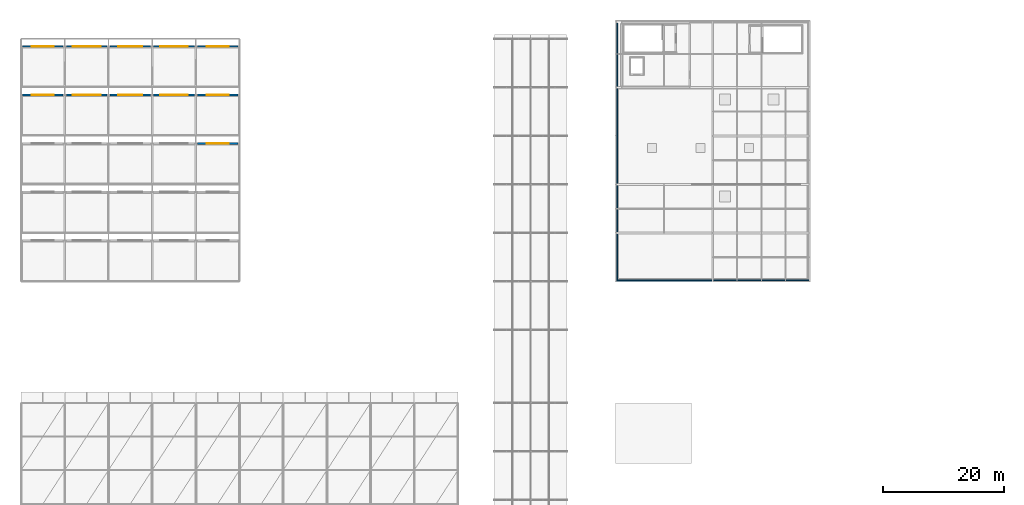
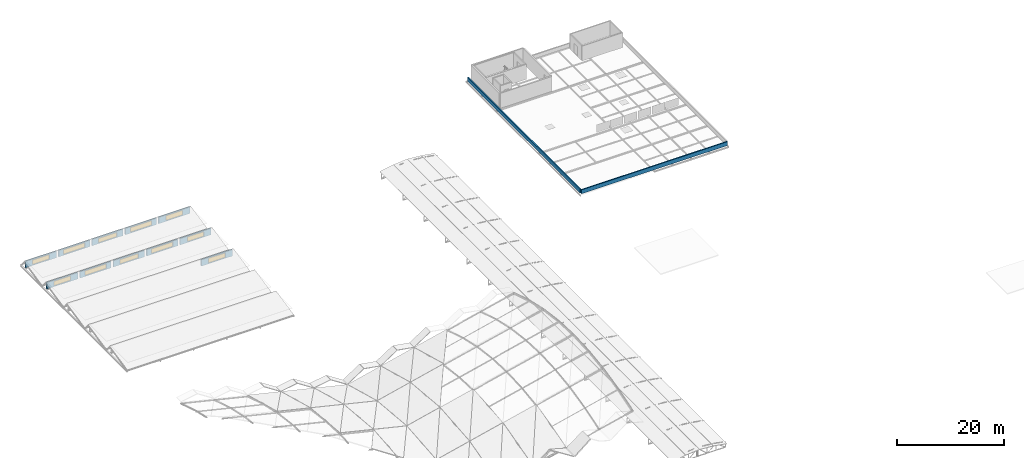
# One storey, part 52 of 54: 13 walls, 11 windows, 11 openings.
"""IFC4 building model written with IfcOpenShell, lengths in metres."""

import ifcopenshell
import ifcopenshell.guid

model = None  # the IFC model being written
_history = None  # IfcOwnerHistory: only IFC2X3 demands one
_inside = {}  # id of a spatial element -> (the spatial element, [elements in it])
_under = {}  # id of a project, library or spatial element -> (it, [spatial elements below it])
_declared = {}  # id of a project -> (the project, [libraries it declares])
_typed = {}  # id of a type object -> (the type object, [elements of that type])
_made_of = {}  # id of a material, layer set ... -> (it, [elements and type objects made of it])


def new_model(schema):
    """Start an empty IFC model of exactly this schema.

    Asked for "IFC4X3", IfcOpenShell would pick the latest addendum, in which some entities
    have other attributes; the version numbers below select the first issue.
    IFC2X3 requires an IfcOwnerHistory on every rooted entity: one is made here for all.
    """
    global model, _history
    if schema == "IFC4X3":
        model = ifcopenshell.file(schema_version=(4, 3, 0, 0))
    else:
        model = ifcopenshell.file(schema=schema)
    _inside.clear()
    _under.clear()
    _declared.clear()
    _typed.clear()
    _made_of.clear()
    _history = None
    if model.schema == "IFC2X3":
        org = make("IfcOrganization", Name="unknown")
        user = make(
            "IfcPersonAndOrganization",
            ThePerson=make("IfcPerson", FamilyName="unknown"),
            TheOrganization=org,
        )
        app = make(
            "IfcApplication",
            ApplicationDeveloper=org,
            Version="unknown",
            ApplicationFullName="unknown",
            ApplicationIdentifier="unknown",
        )
        _history = make(
            "IfcOwnerHistory",
            OwningUser=user,
            OwningApplication=app,
            ChangeAction="ADDED",
            CreationDate=0,
        )
    return model


def make(cls, **values):
    """One entity of the class cls with the attributes given. An attribute that is None is left unset."""
    return model.create_entity(
        cls, **{name: value for name, value in values.items() if value is not None}
    )


def rooted(cls, **values):
    """An entity with a GlobalId (a new one), such as an element, a storey or a relation."""
    return make(cls, GlobalId=ifcopenshell.guid.new(), OwnerHistory=_history, **values)


def si_unit(unit_type, name, prefix=None):
    """IfcSIUnit, for example si_unit("LENGTHUNIT", "METRE", prefix="MILLI")."""
    return make("IfcSIUnit", UnitType=unit_type, Prefix=prefix, Name=name)


def derived_unit(unit_type, elements):
    """IfcDerivedUnit: a product of units, each with its exponent."""
    return make(
        "IfcDerivedUnit",
        Elements=[
            make("IfcDerivedUnitElement", Unit=unit, Exponent=power)
            for unit, power in elements
        ],
        UnitType=unit_type,
    )


def assignment(units):
    """IfcUnitAssignment: the units of a project."""
    return None if units is None else make("IfcUnitAssignment", Units=units)


def point(xyz):
    """IfcCartesianPoint."""
    return None if xyz is None else make("IfcCartesianPoint", Coordinates=xyz)


def direction(xyz):
    """IfcDirection."""
    return None if xyz is None else make("IfcDirection", DirectionRatios=xyz)


def frame(location, z_axis=None, x_axis=None):
    """IfcAxis2Placement3D, a coordinate frame: its origin and axes. An axis left out is left unset."""
    return make(
        "IfcAxis2Placement3D",
        Location=point(location),
        Axis=direction(z_axis),
        RefDirection=direction(x_axis),
    )


def frame_2d(location, x_axis=None):
    """IfcAxis2Placement2D, a coordinate frame in the plane: its origin and x axis."""
    return make(
        "IfcAxis2Placement2D", Location=point(location), RefDirection=direction(x_axis)
    )


def origin():
    """The frame at (0, 0, 0) with its axes left unset."""
    return frame((0.0, 0.0, 0.0))


def place(relative_to, where):
    """IfcLocalPlacement: puts the frame where relative to a parent placement (None: the world)."""
    return make(
        "IfcLocalPlacement", PlacementRelTo=relative_to, RelativePlacement=where
    )


def context(
    kind, dimensions, precision=None, world=None, true_north=None, identifier=None
):
    """IfcGeometricRepresentationContext, for example the 3D "Model" context."""
    return make(
        "IfcGeometricRepresentationContext",
        ContextIdentifier=identifier,
        ContextType=kind,
        CoordinateSpaceDimension=dimensions,
        Precision=precision,
        WorldCoordinateSystem=world,
        TrueNorth=true_north,
    )


def subcontext(parent, identifier, kind, view, scale=None):
    """IfcGeometricRepresentationSubContext, for example "Body" below "Model"."""
    return make(
        "IfcGeometricRepresentationSubContext",
        ContextIdentifier=identifier,
        ContextType=kind,
        ParentContext=parent,
        TargetScale=scale,
        TargetView=view,
    )


def project(units=None, contexts=None):
    """IfcProject with its units and contexts."""
    return rooted(
        "IfcProject",
        Name="project",
        RepresentationContexts=contexts,
        UnitsInContext=assignment(units),
    )


def spatial(cls, under=None, at=None, **own):
    """A site, building, storey or space (cls), placed at a placement, below another one or the project."""
    s = rooted(cls, ObjectPlacement=at, **own)
    if under is not None:
        _under.setdefault(under.id(), (under, []))[1].append(s)
    return s


def profile(cls, at=None, kind="AREA", **sizes):
    """A parametric profile (cls). Its sizes go by their IFC names, for example OverallWidth=200.0."""
    return make(cls, ProfileType=kind, Position=at, **sizes)


def rectangle(**sizes):
    """IfcRectangleProfileDef."""
    return profile("IfcRectangleProfileDef", **sizes)


def extrude(swept, where, along, depth):
    """IfcExtrudedAreaSolid: the profile swept, set in the frame where, extruded along a direction by depth."""
    return make(
        "IfcExtrudedAreaSolid",
        SweptArea=swept,
        Position=where,
        ExtrudedDirection=direction(along),
        Depth=depth,
    )


def shape(context_of_items, identifier, shape_type, items):
    """IfcShapeRepresentation: the items that make up one representation, for example the "Body"."""
    return make(
        "IfcShapeRepresentation",
        ContextOfItems=context_of_items,
        RepresentationIdentifier=identifier,
        RepresentationType=shape_type,
        Items=items,
    )


def material(Name=None, Category=None):
    """IfcMaterial."""
    return make("IfcMaterial", Name=Name, Category=Category)


def layer(
    of_material, thickness, ventilated=None, Name=None, Category=None, Priority=None
):
    """IfcMaterialLayer: one layer of a wall or slab, of a material (None: an air gap)."""
    return make(
        "IfcMaterialLayer",
        Material=of_material,
        LayerThickness=thickness,
        IsVentilated=ventilated,
        Name=Name,
        Category=Category,
        Priority=Priority,
    )


def layer_set(layers, Name=None):
    """IfcMaterialLayerSet."""
    return make("IfcMaterialLayerSet", MaterialLayers=layers, LayerSetName=Name)


def made_of(thing, what):
    """Note that an element or type object is made of a material, layer set ...; save() writes the relation."""
    if what is not None:
        _made_of.setdefault(what.id(), (what, []))[1].append(thing)
    return thing


def type_object(cls, material=None, **own):
    """A type object (cls), such as IfcWallType, which elements share."""
    return made_of(rooted(cls, **own), material)


def element(
    cls,
    number,
    at=None,
    inside=None,
    cuts=None,
    type_object=None,
    material=None,
    context=None,
    identifier="Body",
    shape_type=None,
    held_by="IfcProductDefinitionShape",
    body=None,
    shapes=None,
    **own,
):
    """One element of the class cls, such as IfcWall. Its Tag is "e" and its number.

    at: its placement. inside: the storey or other place that contains it. cuts: it is an
    opening in that element (IfcRelVoidsElement). A single representation is given by context,
    identifier, shape_type and body (its items); several are given by shapes. held_by: the class
    of the entity that holds the representations. save() writes the other relations.
    """
    e = rooted(cls, Tag="e%d" % number, ObjectPlacement=at, **own)
    if body is not None:
        shapes = [shape(context, identifier, shape_type, body)]
    if shapes is not None:
        e.Representation = make(held_by, Representations=shapes)
    if inside is not None:
        _inside.setdefault(inside.id(), (inside, []))[1].append(e)
    if cuts is not None:
        rooted(
            "IfcRelVoidsElement", RelatingBuildingElement=cuts, RelatedOpeningElement=e
        )
    if type_object is not None:
        _typed.setdefault(type_object.id(), (type_object, []))[1].append(e)
    return made_of(e, material)


def fill(opening, filler):
    """IfcRelFillsElement: the door or window that sits in an opening."""
    return rooted(
        "IfcRelFillsElement",
        RelatingOpeningElement=opening,
        RelatedBuildingElement=filler,
    )


def aggregate(whole, parts):
    """IfcRelAggregates: a whole, such as a stair, and the parts it consists of."""
    return rooted("IfcRelAggregates", RelatingObject=whole, RelatedObjects=parts)


def save(model, path):
    """Write the relations noted so far, then the file.

    IfcRelAggregates (storeys below a building ...), IfcRelContainedInSpatialStructure (elements
    in a storey), IfcRelDefinesByType, IfcRelAssociatesMaterial and IfcRelDeclares: one each for
    every whole, place, type object, material and project.
    """
    for whole, parts in _under.values():
        aggregate(whole, parts)
    for where, things in _inside.values():
        rooted(
            "IfcRelContainedInSpatialStructure",
            RelatedElements=things,
            RelatingStructure=where,
        )
    for kind, things in _typed.values():
        rooted("IfcRelDefinesByType", RelatedObjects=things, RelatingType=kind)
    for what, things in _made_of.values():
        rooted("IfcRelAssociatesMaterial", RelatedObjects=things, RelatingMaterial=what)
    for by, libraries in _declared.values():
        rooted("IfcRelDeclares", RelatingContext=by, RelatedDefinitions=libraries)
    model.write(path)


model = new_model("IFC4")

# Units and contexts
model_context = context("Model", 3, precision=1e-05, world=origin(), true_north=direction((0.0, 1.0)))
body_context = subcontext(model_context, "Body", "Model", "MODEL_VIEW")
ifc_project = project(units=[si_unit("LENGTHUNIT", "METRE"), si_unit("AREAUNIT", "SQUARE_METRE"), si_unit("VOLUMEUNIT", "CUBIC_METRE"), si_unit("PLANEANGLEUNIT", "RADIAN"), si_unit("MASSUNIT", "GRAM", prefix="KILO"), derived_unit("THERMALTRANSMITTANCEUNIT", [(si_unit("POWERUNIT", "WATT"), 1), (si_unit("LENGTHUNIT", "METRE"), -2), (si_unit("THERMODYNAMICTEMPERATUREUNIT", "KELVIN"), -1)])], contexts=[model_context])

# Site, building, storey
site_placement = place(None, origin())
site = spatial("IfcSite", under=ifc_project, at=site_placement, CompositionType="ELEMENT")
building_placement = place(site_placement, origin())
building = spatial("IfcBuilding", under=site, at=building_placement, Name="Keldorne Ridge Multi-Sports Centre", CompositionType="ELEMENT")
storey_placement = place(building_placement, frame((0.0, 0.0, 22.199951171875)))
storey = spatial("IfcBuildingStorey", under=building, at=storey_placement, Name="ROOF", CompositionType="ELEMENT", Elevation=22.199951171875)

# Walls
ifc_material_1 = material(Name="Precast concrete C40/50", Category="concrete")
ifc_layer_1 = layer(ifc_material_1, 0.25)
ifc_layer_set_1 = layer_set([ifc_layer_1], Name="Precast concrete C40/50")
wall_type_1 = type_object("IfcWallType", Name="WAL-PP-01", PredefinedType="PARAPET", material=ifc_layer_set_1)
wall_1_placement = place(storey_placement, frame((104.199951171875, 74.199951171875, 0.0), z_axis=(0.0, 0.0, 1.0), x_axis=(1.0, 0.0, 0.0)))
element("IfcWall", 1, at=wall_1_placement, inside=storey, type_object=wall_type_1, Name="Roof parapet upstand 01", PredefinedType="PARAPET", context=body_context, shape_type="SweptSolid", body=[
    extrude(rectangle(XDim=31.60009765625, YDim=0.25, at=frame_2d((15.800048828125, 0.0))), origin(), (0.0, 0.0, 1.0), 0.900146484375),
])
wall_2_placement = place(storey_placement, frame((104.199951171875, 116.60009765625, 0.0), z_axis=(0.0, 0.0, 1.0), x_axis=(0.0, -1.0, 0.0)))
element("IfcWall", 2, at=wall_2_placement, inside=storey, type_object=wall_type_1, Name="Roof parapet upstand 04", PredefinedType="PARAPET", context=body_context, shape_type="SweptSolid", body=[
    extrude(rectangle(XDim=42.2001953125, YDim=0.25, at=frame_2d((21.10009765625, 0.0))), origin(), (0.0, 0.0, 1.0), 0.900146484375),
])

# Wall, opening, window
ifc_layer_2 = layer(ifc_material_1, 0.280029296875)
ifc_layer_set_2 = layer_set([ifc_layer_2], Name="Precast concrete C40/50")
wall_type_2 = type_object("IfcWallType", Name="WAL-PR-W3", PredefinedType="STANDARD", material=ifc_layer_set_2)
wall_3_placement = place(storey_placement, frame((41.75, 96.75, -6.0), z_axis=(0.0, 0.0, 1.0), x_axis=(-1.0, 0.0, 0.0)))
wall_3 = element("IfcWall", 3, at=wall_3_placement, inside=storey, type_object=wall_type_2, Name="Sawtooth north-light monitor 3.5", PredefinedType="STANDARD", context=body_context, shape_type="SweptSolid", body=[
    extrude(rectangle(XDim=6.699951171875, YDim=0.280029296875, at=frame_2d((3.35009765625, 0.0))), origin(), (0.0, 0.0, 1.0), 1.449951171875),
])
opening_1_placement = place(wall_3_placement, frame((1.550048828125, 0.0, 0.199951171875)))
opening_1 = element("IfcOpeningElement", 4, at=opening_1_placement, cuts=wall_3, Name="Opening SK-02", PredefinedType="OPENING", context=body_context, shape_type="SweptSolid", body=[
    extrude(rectangle(XDim=3.60009765625, YDim=1.050048828125, at=frame_2d((1.800048828125, 0.52490234375))), frame((0.0, 0.14990234375, 0.0), z_axis=(0.0, -1.0, 0.0), x_axis=(1.0, 0.0, 0.0)), (0.0, 0.0, 1.0), 0.300048828125),
])
ifc_material_2 = material(Name="Anodized aluminium", Category="aluminium")
window_type_1 = type_object("IfcWindowType", Name="WIN-SK-02", PartitioningType="DOUBLE_PANEL_VERTICAL", PredefinedType="SKYLIGHT", material=ifc_material_2)
window_1_placement = place(opening_1_placement, origin())
window_1 = element("IfcWindow", 5, at=window_1_placement, inside=storey, type_object=window_type_1, Name="North-light sawtooth skylight W-016", OverallHeight=1.050048828125, OverallWidth=3.60009765625, PartitioningType="SINGLE_PANEL", PredefinedType="SKYLIGHT", context=body_context, shape_type="SweptSolid", body=[
    extrude(rectangle(XDim=3.60009765625, YDim=1.050048828125, at=frame_2d((1.800048828125, 0.52490234375))), frame((0.0, 0.030029296875, 0.0), z_axis=(0.0, -1.0, 0.0), x_axis=(1.0, 0.0, 0.0)), (0.0, 0.0, 1.0), 0.06005859375),
])
fill(opening_1, window_1)

wall_4_placement = place(storey_placement, frame((12.949951171875, 104.75, -6.0), z_axis=(0.0, 0.0, 1.0), x_axis=(-1.0, 0.0, 0.0)))
wall_4 = element("IfcWall", 6, at=wall_4_placement, inside=storey, type_object=wall_type_2, Name="Sawtooth north-light monitor 4.1", PredefinedType="STANDARD", context=body_context, shape_type="SweptSolid", body=[
    extrude(rectangle(XDim=6.699951171875, YDim=0.280029296875, at=frame_2d((3.35009765625, 0.0))), origin(), (0.0, 0.0, 1.0), 1.449951171875),
])
opening_2_placement = place(wall_4_placement, frame((1.550048828125, 0.0, 0.199951171875)))
opening_2 = element("IfcOpeningElement", 7, at=opening_2_placement, cuts=wall_4, Name="Opening SK-02", PredefinedType="OPENING", context=body_context, shape_type="SweptSolid", body=[
    extrude(rectangle(XDim=3.60009765625, YDim=1.050048828125, at=frame_2d((1.800048828125, 0.52490234375))), frame((0.0, 0.14990234375, 0.0), z_axis=(0.0, -1.0, 0.0), x_axis=(1.0, 0.0, 0.0)), (0.0, 0.0, 1.0), 0.300048828125),
])
window_2_placement = place(opening_2_placement, origin())
window_2 = element("IfcWindow", 8, at=window_2_placement, inside=storey, type_object=window_type_1, Name="North-light sawtooth skylight W-017", OverallHeight=1.050048828125, OverallWidth=3.60009765625, PartitioningType="SINGLE_PANEL", PredefinedType="SKYLIGHT", context=body_context, shape_type="SweptSolid", body=[
    extrude(rectangle(XDim=3.60009765625, YDim=1.050048828125, at=frame_2d((1.800048828125, 0.52490234375))), frame((0.0, 0.030029296875, 0.0), z_axis=(0.0, -1.0, 0.0), x_axis=(1.0, 0.0, 0.0)), (0.0, 0.0, 1.0), 0.06005859375),
])
fill(opening_2, window_2)

wall_5_placement = place(storey_placement, frame((20.14990234375, 104.75, -6.0), z_axis=(0.0, 0.0, 1.0), x_axis=(-1.0, 0.0, 0.0)))
wall_5 = element("IfcWall", 9, at=wall_5_placement, inside=storey, type_object=wall_type_2, Name="Sawtooth north-light monitor 4.2", PredefinedType="STANDARD", context=body_context, shape_type="SweptSolid", body=[
    extrude(rectangle(XDim=6.699951171875, YDim=0.280029296875, at=frame_2d((3.35009765625, 0.0))), origin(), (0.0, 0.0, 1.0), 1.449951171875),
])
opening_3_placement = place(wall_5_placement, frame((1.050048828125, 0.0, 0.199951171875)))
opening_3 = element("IfcOpeningElement", 10, at=opening_3_placement, cuts=wall_5, Name="Opening SK-01", PredefinedType="OPENING", context=body_context, shape_type="SweptSolid", body=[
    extrude(rectangle(XDim=4.60009765625, YDim=1.050048828125, at=frame_2d((2.300048828125, 0.52490234375))), frame((0.0, 0.14990234375, 0.0), z_axis=(0.0, -1.0, 0.0), x_axis=(1.0, 0.0, 0.0)), (0.0, 0.0, 1.0), 0.300048828125),
])
window_type_2 = type_object("IfcWindowType", Name="WIN-SK-01", PartitioningType="DOUBLE_PANEL_VERTICAL", PredefinedType="SKYLIGHT", material=ifc_material_2)
window_3_placement = place(opening_3_placement, origin())
window_3 = element("IfcWindow", 11, at=window_3_placement, inside=storey, type_object=window_type_2, Name="North-light sawtooth skylight W-018", OverallHeight=1.050048828125, OverallWidth=4.60009765625, PartitioningType="SINGLE_PANEL", PredefinedType="SKYLIGHT", context=body_context, shape_type="SweptSolid", body=[
    extrude(rectangle(XDim=4.60009765625, YDim=1.050048828125, at=frame_2d((2.300048828125, 0.52490234375))), frame((0.0, 0.030029296875, 0.0), z_axis=(0.0, -1.0, 0.0), x_axis=(1.0, 0.0, 0.0)), (0.0, 0.0, 1.0), 0.06005859375),
])
fill(opening_3, window_3)

wall_6_placement = place(storey_placement, frame((27.35009765625, 104.75, -6.0), z_axis=(0.0, 0.0, 1.0), x_axis=(-1.0, 0.0, 0.0)))
wall_6 = element("IfcWall", 12, at=wall_6_placement, inside=storey, type_object=wall_type_2, Name="Sawtooth north-light monitor 4.3", PredefinedType="STANDARD", context=body_context, shape_type="SweptSolid", body=[
    extrude(rectangle(XDim=6.7001953125, YDim=0.280029296875, at=frame_2d((3.35009765625, 0.0))), origin(), (0.0, 0.0, 1.0), 1.449951171875),
])
opening_4_placement = place(wall_6_placement, frame((1.35009765625, 0.0, 0.199951171875)))
opening_4 = element("IfcOpeningElement", 13, at=opening_4_placement, cuts=wall_6, Name="Opening SK-03", PredefinedType="OPENING", context=body_context, shape_type="SweptSolid", body=[
    extrude(rectangle(XDim=4.0, YDim=1.0, at=frame_2d((2.0, 0.5))), frame((0.0, 0.14990234375, 0.0), z_axis=(0.0, -1.0, 0.0), x_axis=(1.0, 0.0, 0.0)), (0.0, 0.0, 1.0), 0.300048828125),
])
window_type_3 = type_object("IfcWindowType", Name="WIN-SK-03", PartitioningType="DOUBLE_PANEL_VERTICAL", PredefinedType="SKYLIGHT", material=ifc_material_2)
window_4_placement = place(opening_4_placement, origin())
window_4 = element("IfcWindow", 14, at=window_4_placement, inside=storey, type_object=window_type_3, Name="North-light sawtooth skylight W-019", OverallHeight=1.0, OverallWidth=4.0, PartitioningType="SINGLE_PANEL", PredefinedType="SKYLIGHT", context=body_context, shape_type="SweptSolid", body=[
    extrude(rectangle(XDim=4.0, YDim=1.0, at=frame_2d((2.0, 0.5))), frame((0.0, 0.030029296875, 0.0), z_axis=(0.0, -1.0, 0.0), x_axis=(1.0, 0.0, 0.0)), (0.0, 0.0, 1.0), 0.06005859375),
])
fill(opening_4, window_4)

wall_7_placement = place(storey_placement, frame((34.550048828125, 104.75, -6.0), z_axis=(0.0, 0.0, 1.0), x_axis=(-1.0, 0.0, 0.0)))
wall_7 = element("IfcWall", 15, at=wall_7_placement, inside=storey, type_object=wall_type_2, Name="Sawtooth north-light monitor 4.4", PredefinedType="STANDARD", context=body_context, shape_type="SweptSolid", body=[
    extrude(rectangle(XDim=6.699951171875, YDim=0.280029296875, at=frame_2d((3.35009765625, 0.0))), origin(), (0.0, 0.0, 1.0), 1.449951171875),
])
opening_5_placement = place(wall_7_placement, frame((1.050048828125, 0.0, 0.199951171875)))
opening_5 = element("IfcOpeningElement", 16, at=opening_5_placement, cuts=wall_7, Name="Opening SK-01", PredefinedType="OPENING", context=body_context, shape_type="SweptSolid", body=[
    extrude(rectangle(XDim=4.60009765625, YDim=1.050048828125, at=frame_2d((2.300048828125, 0.52490234375))), frame((0.0, 0.14990234375, 0.0), z_axis=(0.0, -1.0, 0.0), x_axis=(1.0, 0.0, 0.0)), (0.0, 0.0, 1.0), 0.300048828125),
])
window_5_placement = place(opening_5_placement, origin())
window_5 = element("IfcWindow", 17, at=window_5_placement, inside=storey, type_object=window_type_2, Name="North-light sawtooth skylight W-020", OverallHeight=1.050048828125, OverallWidth=4.60009765625, PartitioningType="SINGLE_PANEL", PredefinedType="SKYLIGHT", context=body_context, shape_type="SweptSolid", body=[
    extrude(rectangle(XDim=4.60009765625, YDim=1.050048828125, at=frame_2d((2.300048828125, 0.52490234375))), frame((0.0, 0.030029296875, 0.0), z_axis=(0.0, -1.0, 0.0), x_axis=(1.0, 0.0, 0.0)), (0.0, 0.0, 1.0), 0.06005859375),
])
fill(opening_5, window_5)

wall_8_placement = place(storey_placement, frame((41.75, 104.75, -6.0), z_axis=(0.0, 0.0, 1.0), x_axis=(-1.0, 0.0, 0.0)))
wall_8 = element("IfcWall", 18, at=wall_8_placement, inside=storey, type_object=wall_type_2, Name="Sawtooth north-light monitor 4.5", PredefinedType="STANDARD", context=body_context, shape_type="SweptSolid", body=[
    extrude(rectangle(XDim=6.699951171875, YDim=0.280029296875, at=frame_2d((3.35009765625, 0.0))), origin(), (0.0, 0.0, 1.0), 1.449951171875),
])
opening_6_placement = place(wall_8_placement, frame((1.550048828125, 0.0, 0.199951171875)))
opening_6 = element("IfcOpeningElement", 19, at=opening_6_placement, cuts=wall_8, Name="Opening SK-02", PredefinedType="OPENING", context=body_context, shape_type="SweptSolid", body=[
    extrude(rectangle(XDim=3.60009765625, YDim=1.050048828125, at=frame_2d((1.800048828125, 0.52490234375))), frame((0.0, 0.14990234375, 0.0), z_axis=(0.0, -1.0, 0.0), x_axis=(1.0, 0.0, 0.0)), (0.0, 0.0, 1.0), 0.300048828125),
])
window_6_placement = place(opening_6_placement, origin())
window_6 = element("IfcWindow", 20, at=window_6_placement, inside=storey, type_object=window_type_1, Name="North-light sawtooth skylight W-021", OverallHeight=1.050048828125, OverallWidth=3.60009765625, PartitioningType="SINGLE_PANEL", PredefinedType="SKYLIGHT", context=body_context, shape_type="SweptSolid", body=[
    extrude(rectangle(XDim=3.60009765625, YDim=1.050048828125, at=frame_2d((1.800048828125, 0.52490234375))), frame((0.0, 0.030029296875, 0.0), z_axis=(0.0, -1.0, 0.0), x_axis=(1.0, 0.0, 0.0)), (0.0, 0.0, 1.0), 0.06005859375),
])
fill(opening_6, window_6)

wall_9_placement = place(storey_placement, frame((12.949951171875, 112.75, -6.0), z_axis=(0.0, 0.0, 1.0), x_axis=(-1.0, 0.0, 0.0)))
wall_9 = element("IfcWall", 21, at=wall_9_placement, inside=storey, type_object=wall_type_2, Name="Sawtooth north-light monitor 5.1", PredefinedType="STANDARD", context=body_context, shape_type="SweptSolid", body=[
    extrude(rectangle(XDim=6.699951171875, YDim=0.280029296875, at=frame_2d((3.35009765625, 0.0))), origin(), (0.0, 0.0, 1.0), 1.449951171875),
])
opening_7_placement = place(wall_9_placement, frame((1.550048828125, 0.0, 0.199951171875)))
opening_7 = element("IfcOpeningElement", 22, at=opening_7_placement, cuts=wall_9, Name="Opening SK-02", PredefinedType="OPENING", context=body_context, shape_type="SweptSolid", body=[
    extrude(rectangle(XDim=3.60009765625, YDim=1.050048828125, at=frame_2d((1.800048828125, 0.52490234375))), frame((0.0, 0.14990234375, 0.0), z_axis=(0.0, -1.0, 0.0), x_axis=(1.0, 0.0, 0.0)), (0.0, 0.0, 1.0), 0.300048828125),
])
window_7_placement = place(opening_7_placement, origin())
window_7 = element("IfcWindow", 23, at=window_7_placement, inside=storey, type_object=window_type_1, Name="North-light sawtooth skylight W-022", OverallHeight=1.050048828125, OverallWidth=3.60009765625, PartitioningType="SINGLE_PANEL", PredefinedType="SKYLIGHT", context=body_context, shape_type="SweptSolid", body=[
    extrude(rectangle(XDim=3.60009765625, YDim=1.050048828125, at=frame_2d((1.800048828125, 0.52490234375))), frame((0.0, 0.030029296875, 0.0), z_axis=(0.0, -1.0, 0.0), x_axis=(1.0, 0.0, 0.0)), (0.0, 0.0, 1.0), 0.06005859375),
])
fill(opening_7, window_7)

wall_10_placement = place(storey_placement, frame((20.14990234375, 112.75, -6.0), z_axis=(0.0, 0.0, 1.0), x_axis=(-1.0, 0.0, 0.0)))
wall_10 = element("IfcWall", 24, at=wall_10_placement, inside=storey, type_object=wall_type_2, Name="Sawtooth north-light monitor 5.2", PredefinedType="STANDARD", context=body_context, shape_type="SweptSolid", body=[
    extrude(rectangle(XDim=6.699951171875, YDim=0.280029296875, at=frame_2d((3.35009765625, 0.0))), origin(), (0.0, 0.0, 1.0), 1.449951171875),
])
opening_8_placement = place(wall_10_placement, frame((1.050048828125, 0.0, 0.199951171875)))
opening_8 = element("IfcOpeningElement", 25, at=opening_8_placement, cuts=wall_10, Name="Opening SK-01", PredefinedType="OPENING", context=body_context, shape_type="SweptSolid", body=[
    extrude(rectangle(XDim=4.60009765625, YDim=1.050048828125, at=frame_2d((2.300048828125, 0.52490234375))), frame((0.0, 0.14990234375, 0.0), z_axis=(0.0, -1.0, 0.0), x_axis=(1.0, 0.0, 0.0)), (0.0, 0.0, 1.0), 0.300048828125),
])
window_8_placement = place(opening_8_placement, origin())
window_8 = element("IfcWindow", 26, at=window_8_placement, inside=storey, type_object=window_type_2, Name="North-light sawtooth skylight W-023", OverallHeight=1.050048828125, OverallWidth=4.60009765625, PartitioningType="SINGLE_PANEL", PredefinedType="SKYLIGHT", context=body_context, shape_type="SweptSolid", body=[
    extrude(rectangle(XDim=4.60009765625, YDim=1.050048828125, at=frame_2d((2.300048828125, 0.52490234375))), frame((0.0, 0.030029296875, 0.0), z_axis=(0.0, -1.0, 0.0), x_axis=(1.0, 0.0, 0.0)), (0.0, 0.0, 1.0), 0.06005859375),
])
fill(opening_8, window_8)

wall_11_placement = place(storey_placement, frame((27.35009765625, 112.75, -6.0), z_axis=(0.0, 0.0, 1.0), x_axis=(-1.0, 0.0, 0.0)))
wall_11 = element("IfcWall", 27, at=wall_11_placement, inside=storey, type_object=wall_type_2, Name="Sawtooth north-light monitor 5.3", PredefinedType="STANDARD", context=body_context, shape_type="SweptSolid", body=[
    extrude(rectangle(XDim=6.7001953125, YDim=0.280029296875, at=frame_2d((3.35009765625, 0.0))), origin(), (0.0, 0.0, 1.0), 1.449951171875),
])
opening_9_placement = place(wall_11_placement, frame((1.35009765625, 0.0, 0.199951171875)))
opening_9 = element("IfcOpeningElement", 28, at=opening_9_placement, cuts=wall_11, Name="Opening SK-03", PredefinedType="OPENING", context=body_context, shape_type="SweptSolid", body=[
    extrude(rectangle(XDim=4.0, YDim=1.0, at=frame_2d((2.0, 0.5))), frame((0.0, 0.14990234375, 0.0), z_axis=(0.0, -1.0, 0.0), x_axis=(1.0, 0.0, 0.0)), (0.0, 0.0, 1.0), 0.300048828125),
])
window_9_placement = place(opening_9_placement, origin())
window_9 = element("IfcWindow", 29, at=window_9_placement, inside=storey, type_object=window_type_3, Name="North-light sawtooth skylight W-024", OverallHeight=1.0, OverallWidth=4.0, PartitioningType="SINGLE_PANEL", PredefinedType="SKYLIGHT", context=body_context, shape_type="SweptSolid", body=[
    extrude(rectangle(XDim=4.0, YDim=1.0, at=frame_2d((2.0, 0.5))), frame((0.0, 0.030029296875, 0.0), z_axis=(0.0, -1.0, 0.0), x_axis=(1.0, 0.0, 0.0)), (0.0, 0.0, 1.0), 0.06005859375),
])
fill(opening_9, window_9)

wall_12_placement = place(storey_placement, frame((34.550048828125, 112.75, -6.0), z_axis=(0.0, 0.0, 1.0), x_axis=(-1.0, 0.0, 0.0)))
wall_12 = element("IfcWall", 30, at=wall_12_placement, inside=storey, type_object=wall_type_2, Name="Sawtooth north-light monitor 5.4", PredefinedType="STANDARD", context=body_context, shape_type="SweptSolid", body=[
    extrude(rectangle(XDim=6.699951171875, YDim=0.280029296875, at=frame_2d((3.35009765625, 0.0))), origin(), (0.0, 0.0, 1.0), 1.449951171875),
])
opening_10_placement = place(wall_12_placement, frame((1.050048828125, 0.0, 0.199951171875)))
opening_10 = element("IfcOpeningElement", 31, at=opening_10_placement, cuts=wall_12, Name="Opening SK-01", PredefinedType="OPENING", context=body_context, shape_type="SweptSolid", body=[
    extrude(rectangle(XDim=4.60009765625, YDim=1.050048828125, at=frame_2d((2.300048828125, 0.52490234375))), frame((0.0, 0.14990234375, 0.0), z_axis=(0.0, -1.0, 0.0), x_axis=(1.0, 0.0, 0.0)), (0.0, 0.0, 1.0), 0.300048828125),
])
window_10_placement = place(opening_10_placement, origin())
window_10 = element("IfcWindow", 32, at=window_10_placement, inside=storey, type_object=window_type_2, Name="North-light sawtooth skylight W-025", OverallHeight=1.050048828125, OverallWidth=4.60009765625, PartitioningType="SINGLE_PANEL", PredefinedType="SKYLIGHT", context=body_context, shape_type="SweptSolid", body=[
    extrude(rectangle(XDim=4.60009765625, YDim=1.050048828125, at=frame_2d((2.300048828125, 0.52490234375))), frame((0.0, 0.030029296875, 0.0), z_axis=(0.0, -1.0, 0.0), x_axis=(1.0, 0.0, 0.0)), (0.0, 0.0, 1.0), 0.06005859375),
])
fill(opening_10, window_10)

wall_13_placement = place(storey_placement, frame((41.75, 112.75, -6.0), z_axis=(0.0, 0.0, 1.0), x_axis=(-1.0, 0.0, 0.0)))
wall_13 = element("IfcWall", 33, at=wall_13_placement, inside=storey, type_object=wall_type_2, Name="Sawtooth north-light monitor 5.5", PredefinedType="STANDARD", context=body_context, shape_type="SweptSolid", body=[
    extrude(rectangle(XDim=6.699951171875, YDim=0.280029296875, at=frame_2d((3.35009765625, 0.0))), origin(), (0.0, 0.0, 1.0), 1.449951171875),
])
opening_11_placement = place(wall_13_placement, frame((1.550048828125, 0.0, 0.199951171875)))
opening_11 = element("IfcOpeningElement", 34, at=opening_11_placement, cuts=wall_13, Name="Opening SK-02", PredefinedType="OPENING", context=body_context, shape_type="SweptSolid", body=[
    extrude(rectangle(XDim=3.60009765625, YDim=1.050048828125, at=frame_2d((1.800048828125, 0.52490234375))), frame((0.0, 0.14990234375, 0.0), z_axis=(0.0, -1.0, 0.0), x_axis=(1.0, 0.0, 0.0)), (0.0, 0.0, 1.0), 0.300048828125),
])
window_11_placement = place(opening_11_placement, origin())
window_11 = element("IfcWindow", 35, at=window_11_placement, inside=storey, type_object=window_type_1, Name="North-light sawtooth skylight W-026", OverallHeight=1.050048828125, OverallWidth=3.60009765625, PartitioningType="SINGLE_PANEL", PredefinedType="SKYLIGHT", context=body_context, shape_type="SweptSolid", body=[
    extrude(rectangle(XDim=3.60009765625, YDim=1.050048828125, at=frame_2d((1.800048828125, 0.52490234375))), frame((0.0, 0.030029296875, 0.0), z_axis=(0.0, -1.0, 0.0), x_axis=(1.0, 0.0, 0.0)), (0.0, 0.0, 1.0), 0.06005859375),
])
fill(opening_11, window_11)

save(model, "model.ifc")
